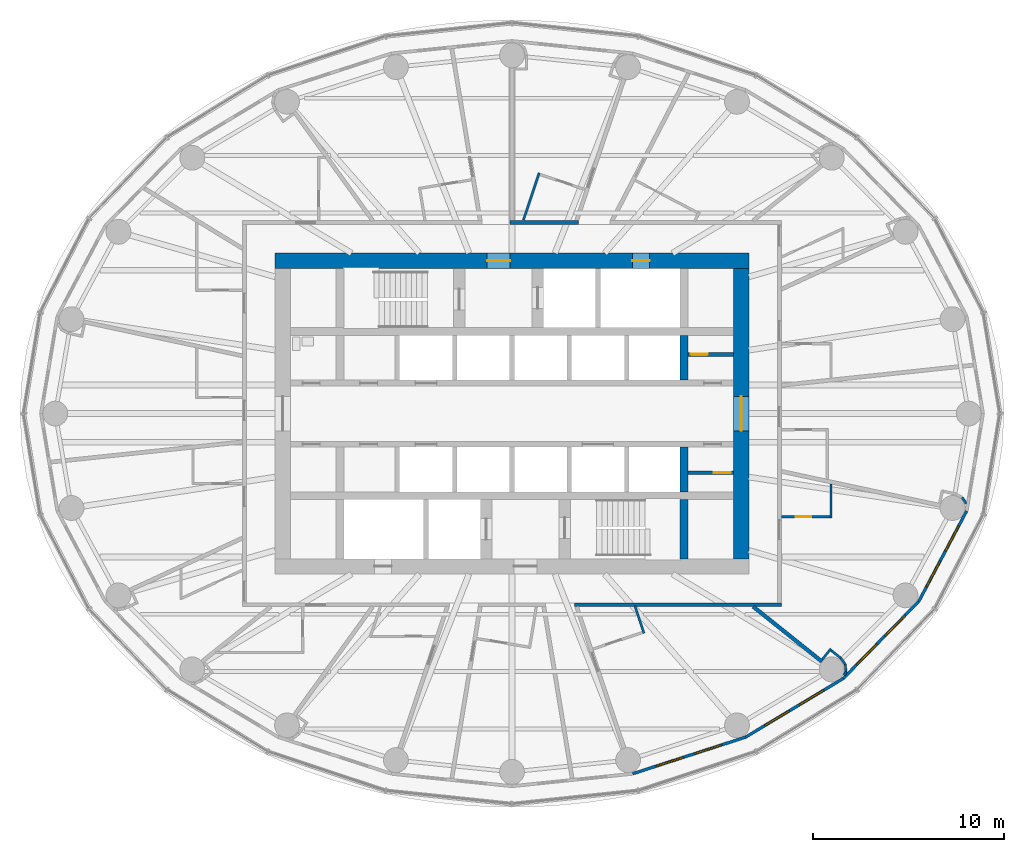
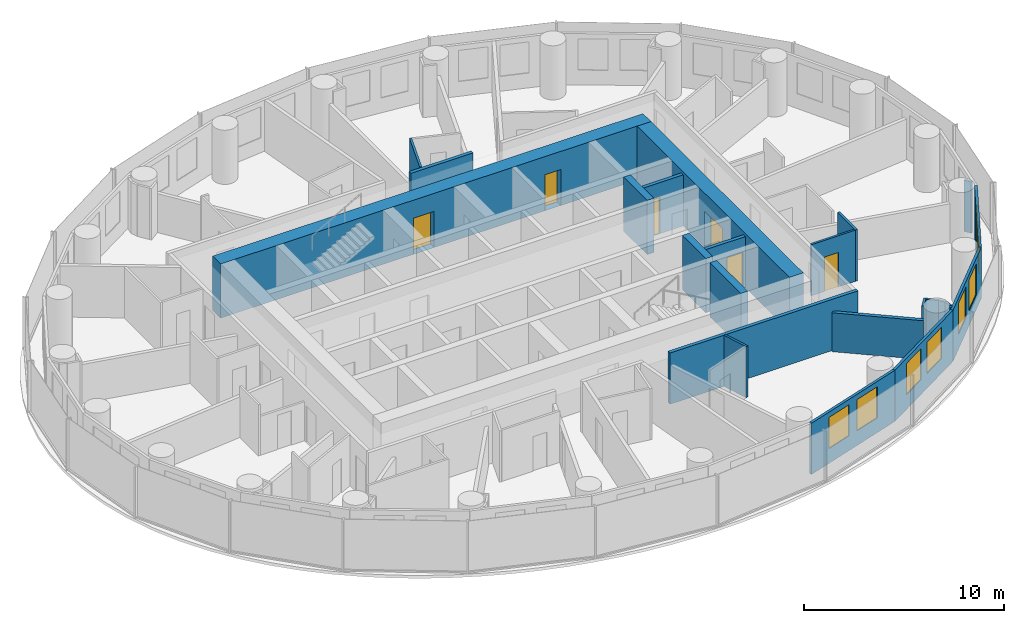
# One storey, part 9 of 14: 24 walls, 8 windows, 6 doors, 14 openings.
"""IFC4 building model written with IfcOpenShell, lengths in metres."""

from ifc_helpers import new_model, si_unit, direction, frame, frame_2d, origin, place, context, subcontext, project, spatial, rectangle, extrude, material, layer, layer_set, type_object, element, fill, save


model = new_model("IFC4")

# Units and contexts
model_context = context("Model", 3, precision=1e-05, world=origin(), true_north=direction((0.0, 1.0)))
body_context = subcontext(model_context, "Body", "Model", "MODEL_VIEW")
ifc_project = project(units=[si_unit("LENGTHUNIT", "METRE"), si_unit("AREAUNIT", "SQUARE_METRE"), si_unit("VOLUMEUNIT", "CUBIC_METRE"), si_unit("PLANEANGLEUNIT", "RADIAN"), si_unit("MASSUNIT", "GRAM", prefix="KILO")], contexts=[model_context])

# Site, building, storey
site_placement = place(None, origin())
site = spatial("IfcSite", under=ifc_project, at=site_placement, CompositionType="ELEMENT")
building_placement = place(site_placement, origin())
building = spatial("IfcBuilding", under=site, at=building_placement, Name="Hankou Lantern Tower", CompositionType="ELEMENT")
storey_placement = place(building_placement, frame((0.0, 0.0, 115.5)))
storey = spatial("IfcBuildingStorey", under=building, at=storey_placement, Name="L29", CompositionType="ELEMENT", Elevation=115.5)

# Wall, openings, doors
ifc_material_1 = material(Name="Concrete C60", Category="concrete")
ifc_layer_1 = layer(ifc_material_1, 0.800048828125)
ifc_layer_set_1 = layer_set([ifc_layer_1], Name="Concrete C60")
wall_type_1 = type_object("IfcWallType", Name="CW2 CORE WALL 800", PredefinedType="SHEAR", material=ifc_layer_set_1)
wall_1_placement = place(storey_placement, frame((-12.39990234375, 8.0, 0.0), z_axis=(0.0, 0.0, 1.0), x_axis=(1.0, 0.0, 0.0)))
wall_1 = element("IfcWall", 1, at=wall_1_placement, inside=storey, type_object=wall_type_1, Name="Core wall north L29", PredefinedType="SHEAR", context=body_context, shape_type="SweptSolid", body=[
    extrude(rectangle(XDim=24.7998046875, YDim=0.800048828125, at=frame_2d((12.39990234375, 0.0))), origin(), (0.0, 0.0, 1.0), 3.300048828125),
])
opening_1_placement = place(wall_1_placement, frame((11.10009765625, 0.0, 0.0)))
opening_1 = element("IfcOpeningElement", 2, at=opening_1_placement, cuts=wall_1, Name="Opening D5", PredefinedType="OPENING", context=body_context, shape_type="SweptSolid", body=[
    extrude(rectangle(XDim=1.199951171875, YDim=2.199951171875, at=frame_2d((0.60009765625, 1.10009765625))), frame((0.0, 0.409912109375, 0.0), z_axis=(0.0, -1.0, 0.0), x_axis=(1.0, 0.0, 0.0)), (0.0, 0.0, 1.0), 0.820068359375),
])
opening_2_placement = place(wall_1_placement, frame((18.699951171875, 0.0, 0.0)))
opening_2 = element("IfcOpeningElement", 3, at=opening_2_placement, cuts=wall_1, Name="Opening D7", PredefinedType="OPENING", context=body_context, shape_type="SweptSolid", body=[
    extrude(rectangle(XDim=0.89990234375, YDim=2.199951171875, at=frame_2d((0.449951171875, 1.10009765625))), frame((0.0, 0.409912109375, 0.0), z_axis=(0.0, -1.0, 0.0), x_axis=(1.0, 0.0, 0.0)), (0.0, 0.0, 1.0), 0.820068359375),
])
ifc_material_2 = material(Name="Steel door leaf", Category="steel")
door_type_1 = type_object("IfcDoorType", Name="D5 STAIR LOBBY DOOR 1200X2200", OperationType="SINGLE_SWING_LEFT", PredefinedType="DOOR", material=ifc_material_2)
door_1_placement = place(opening_1_placement, origin())
door_1 = element("IfcDoor", 4, at=door_1_placement, inside=storey, type_object=door_type_1, Name="Stair A lobby door", OperationType="SINGLE_SWING_LEFT", OverallHeight=2.199951171875, OverallWidth=1.199951171875, PredefinedType="DOOR", context=body_context, shape_type="SweptSolid", body=[
    extrude(rectangle(XDim=1.199951171875, YDim=2.199951171875, at=frame_2d((0.60009765625, 1.10009765625))), frame((0.0, 0.02490234375, 0.0), z_axis=(0.0, -1.0, 0.0), x_axis=(1.0, 0.0, 0.0)), (0.0, 0.0, 1.0), 0.050048828125),
])
fill(opening_1, door_1)
ifc_material_3 = material(Name="Steel door leaf", Category="steel")
door_type_2 = type_object("IfcDoorType", Name="D7 RISER DOOR 900X2200", OperationType="SINGLE_SWING_LEFT", PredefinedType="DOOR", material=ifc_material_3)
door_2_placement = place(opening_2_placement, origin())
door_2 = element("IfcDoor", 5, at=door_2_placement, inside=storey, type_object=door_type_2, Name="Riser N1 door", OperationType="SINGLE_SWING_RIGHT", OverallHeight=2.199951171875, OverallWidth=0.89990234375, PredefinedType="DOOR", context=body_context, shape_type="SweptSolid", body=[
    extrude(rectangle(XDim=0.89990234375, YDim=2.199951171875, at=frame_2d((0.449951171875, 1.10009765625))), frame((0.0, 0.02490234375, 0.0), z_axis=(0.0, -1.0, 0.0), x_axis=(1.0, 0.0, 0.0)), (0.0, 0.0, 1.0), 0.050048828125),
])
fill(opening_2, door_2)

# Wall, opening, door
wall_2_placement = place(storey_placement, frame((12.0, -7.60009765625, 0.0), z_axis=(0.0, 0.0, 1.0), x_axis=(0.0, 1.0, 0.0)))
wall_2 = element("IfcWall", 6, at=wall_2_placement, inside=storey, type_object=wall_type_1, Name="Core wall east L29", PredefinedType="SHEAR", context=body_context, shape_type="SweptSolid", body=[
    extrude(rectangle(XDim=15.2001953125, YDim=0.800048828125, at=frame_2d((7.60009765625, 0.0))), origin(), (0.0, 0.0, 1.0), 3.300048828125),
])
opening_3_placement = place(wall_2_placement, frame((6.699951171875, 0.0, 0.0)))
opening_3 = element("IfcOpeningElement", 7, at=opening_3_placement, cuts=wall_2, Name="Opening D6", PredefinedType="OPENING", context=body_context, shape_type="SweptSolid", body=[
    extrude(rectangle(XDim=1.800048828125, YDim=2.199951171875, at=frame_2d((0.89990234375, 1.10009765625))), frame((0.0, 0.409912109375, 0.0), z_axis=(0.0, -1.0, 0.0), x_axis=(1.0, 0.0, 0.0)), (0.0, 0.0, 1.0), 0.820068359375),
])
ifc_material_4 = material(Name="Steel door leaf", Category="steel")
door_type_3 = type_object("IfcDoorType", Name="D6 LIFT LOBBY DOOR 1800X2200", OperationType="DOUBLE_DOOR_DOUBLE_SWING", PredefinedType="DOOR", material=ifc_material_4)
door_3_placement = place(opening_3_placement, origin())
door_3 = element("IfcDoor", 8, at=door_3_placement, inside=storey, type_object=door_type_3, Name="Lift lobby east door", OperationType="DOUBLE_DOOR_DOUBLE_SWING", OverallHeight=2.199951171875, OverallWidth=1.800048828125, PredefinedType="DOOR", context=body_context, shape_type="SweptSolid", body=[
    extrude(rectangle(XDim=1.800048828125, YDim=2.199951171875, at=frame_2d((0.89990234375, 1.10009765625))), frame((0.0, 0.02490234375, 0.0), z_axis=(0.0, -1.0, 0.0), x_axis=(1.0, 0.0, 0.0)), (0.0, 0.0, 1.0), 0.050048828125),
])
fill(opening_3, door_3)

# Walls
ifc_material_5 = material(Name="Concrete C60", Category="concrete")
ifc_layer_2 = layer(ifc_material_5, 0.39990234375)
ifc_layer_set_2 = layer_set([ifc_layer_2], Name="Concrete C60")
wall_type_2 = type_object("IfcWallType", Name="CW4 CORE CROSS WALL 400", PredefinedType="SHEAR", material=ifc_layer_set_2)
for number, where, z_axis, x_axis, name in (
    (9, (9.0, 1.75, 0.0), (0.0, 0.0, 1.0), (0.0, 1.0, 0.0), "Core strip wall L29"),
    (10, (9.0, -4.10009765625, 0.0), (0.0, 0.0, 1.0), (0.0, 1.0, 0.0), "Core strip wall L29"),
):
    element("IfcWall", number, at=place(storey_placement, frame(where, z_axis=z_axis, x_axis=x_axis)), inside=storey, type_object=wall_type_2, Name=name, PredefinedType="SHEAR", context=body_context, shape_type="SweptSolid", body=[
        extrude(rectangle(XDim=2.35009765625, YDim=0.39990234375, at=frame_2d((1.175048828125, 0.0))), origin(), (0.0, 0.0, 1.0), 3.300048828125),
    ])
wall_3_placement = place(storey_placement, frame((9.0, -7.60009765625, 0.0), z_axis=(0.0, 0.0, 1.0), x_axis=(0.0, 1.0, 0.0)))
element("IfcWall", 11, at=wall_3_placement, inside=storey, type_object=wall_type_2, Name="Core strip wall L29", PredefinedType="SHEAR", context=body_context, shape_type="SweptSolid", body=[
    extrude(rectangle(XDim=3.10009765625, YDim=0.39990234375, at=frame_2d((1.550048828125, 0.0))), origin(), (0.0, 0.0, 1.0), 3.300048828125),
])

# Wall, openings, windows
ifc_material_6 = material(Name="Aluminium spandrel panel on steel studs", Category="steel")
ifc_layer_3 = layer(ifc_material_6, 0.14990234375)
ifc_layer_set_3 = layer_set([ifc_layer_3], Name="Aluminium spandrel panel on steel studs")
wall_type_3 = type_object("IfcWallType", Name="EW1 INNER SKIN WALL 150", PredefinedType="ELEMENTEDWALL", material=ifc_layer_set_3)
wall_4_placement = place(storey_placement, frame((6.3134765625, -18.849609375, 0.0), z_axis=(0.0, 0.0, 1.0), x_axis=(0.951272691506, 0.308350881944, 0.0)))
wall_4 = element("IfcWall", 12, at=wall_4_placement, inside=storey, type_object=wall_type_3, Name="Inner skin R20-R21 L29", PredefinedType="ELEMENTEDWALL", context=body_context, shape_type="SweptSolid", body=[
    extrude(rectangle(XDim=6.210693359375, YDim=0.14990234375, at=frame_2d((3.10546875, 0.0))), origin(), (0.0, 0.0, 1.0), 3.1201171875),
])
opening_4_placement = place(wall_4_placement, frame((1.305419921875, 0.0, 0.89990234375)))
opening_4 = element("IfcOpeningElement", 13, at=opening_4_placement, cuts=wall_4, Name="Opening W2", PredefinedType="OPENING", context=body_context, shape_type="SweptSolid", body=[
    extrude(rectangle(XDim=1.5, YDim=1.89990234375, at=frame_2d((0.75, 0.949951171875))), frame((0.0, 0.0849609375, 0.0), z_axis=(0.0, -1.0, 0.0), x_axis=(1.0, 0.0, 0.0)), (0.0, 0.0, 1.0), 0.169921875),
])
opening_5_placement = place(wall_4_placement, frame((3.4052734375, 0.0, 0.89990234375)))
opening_5 = element("IfcOpeningElement", 14, at=opening_5_placement, cuts=wall_4, Name="Opening W2", PredefinedType="OPENING", context=body_context, shape_type="SweptSolid", body=[
    extrude(rectangle(XDim=1.5, YDim=1.89990234375, at=frame_2d((0.75, 0.949951171875))), frame((0.0, 0.0849609375, 0.0), z_axis=(0.0, -1.0, 0.0), x_axis=(1.0, 0.0, 0.0)), (0.0, 0.0, 1.0), 0.169921875),
])
ifc_material_7 = material(Name="Aluminium framed double glazed window", Category="aluminium")
window_type = type_object("IfcWindowType", Name="W2 GUEST ROOM WINDOW 1500X1900", PartitioningType="DOUBLE_PANEL_VERTICAL", PredefinedType="WINDOW", material=ifc_material_7)
window_1_placement = place(opening_4_placement, origin())
window_1 = element("IfcWindow", 15, at=window_1_placement, inside=storey, type_object=window_type, Name="Window R20.1 L29", OverallHeight=1.89990234375, OverallWidth=1.5, PartitioningType="SINGLE_PANEL", PredefinedType="WINDOW", context=body_context, shape_type="SweptSolid", body=[
    extrude(rectangle(XDim=1.5, YDim=1.89990234375, at=frame_2d((0.75, 0.949951171875))), frame((0.0, 0.030029296875, 0.0), z_axis=(0.0, -1.0, 0.0), x_axis=(1.0, 0.0, 0.0)), (0.0, 0.0, 1.0), 0.06005859375),
])
fill(opening_4, window_1)
window_2_placement = place(opening_5_placement, origin())
window_2 = element("IfcWindow", 16, at=window_2_placement, inside=storey, type_object=window_type, Name="Window R20.2 L29", OverallHeight=1.89990234375, OverallWidth=1.5, PartitioningType="SINGLE_PANEL", PredefinedType="WINDOW", context=body_context, shape_type="SweptSolid", body=[
    extrude(rectangle(XDim=1.5, YDim=1.89990234375, at=frame_2d((0.75, 0.949951171875))), frame((0.0, 0.030029296875, 0.0), z_axis=(0.0, -1.0, 0.0), x_axis=(1.0, 0.0, 0.0)), (0.0, 0.0, 1.0), 0.06005859375),
])
fill(opening_5, window_2)

wall_5_placement = place(storey_placement, frame((12.221435546875, -16.9345703125, 0.0), z_axis=(0.0, 0.0, 1.0), x_axis=(0.857308573723, 0.514802884044, 0.0)))
wall_5 = element("IfcWall", 17, at=wall_5_placement, inside=storey, type_object=wall_type_3, Name="Inner skin R21-R22 L29", PredefinedType="ELEMENTEDWALL", context=body_context, shape_type="SweptSolid", body=[
    extrude(rectangle(XDim=5.961181640625, YDim=0.14990234375, at=frame_2d((2.98046875, 0.0))), origin(), (0.0, 0.0, 1.0), 3.1201171875),
])
opening_6_placement = place(wall_5_placement, frame((1.1806640625, 0.0, 0.89990234375)))
opening_6 = element("IfcOpeningElement", 18, at=opening_6_placement, cuts=wall_5, Name="Opening W2", PredefinedType="OPENING", context=body_context, shape_type="SweptSolid", body=[
    extrude(rectangle(XDim=1.5, YDim=1.89990234375, at=frame_2d((0.75, 0.949951171875))), frame((0.0, 0.0849609375, 0.0), z_axis=(0.0, -1.0, 0.0), x_axis=(1.0, 0.0, 0.0)), (0.0, 0.0, 1.0), 0.169921875),
])
opening_7_placement = place(wall_5_placement, frame((3.280517578125, 0.0, 0.89990234375)))
opening_7 = element("IfcOpeningElement", 19, at=opening_7_placement, cuts=wall_5, Name="Opening W2", PredefinedType="OPENING", context=body_context, shape_type="SweptSolid", body=[
    extrude(rectangle(XDim=1.5, YDim=1.89990234375, at=frame_2d((0.75, 0.949951171875))), frame((0.0, 0.0849609375, 0.0), z_axis=(0.0, -1.0, 0.0), x_axis=(1.0, 0.0, 0.0)), (0.0, 0.0, 1.0), 0.169921875),
])
window_3_placement = place(opening_6_placement, origin())
window_3 = element("IfcWindow", 20, at=window_3_placement, inside=storey, type_object=window_type, Name="Window R21.1 L29", OverallHeight=1.89990234375, OverallWidth=1.5, PartitioningType="SINGLE_PANEL", PredefinedType="WINDOW", context=body_context, shape_type="SweptSolid", body=[
    extrude(rectangle(XDim=1.5, YDim=1.89990234375, at=frame_2d((0.75, 0.949951171875))), frame((0.0, 0.030029296875, 0.0), z_axis=(0.0, -1.0, 0.0), x_axis=(1.0, 0.0, 0.0)), (0.0, 0.0, 1.0), 0.06005859375),
])
fill(opening_6, window_3)
window_4_placement = place(opening_7_placement, origin())
window_4 = element("IfcWindow", 21, at=window_4_placement, inside=storey, type_object=window_type, Name="Window R21.2 L29", OverallHeight=1.89990234375, OverallWidth=1.5, PartitioningType="SINGLE_PANEL", PredefinedType="WINDOW", context=body_context, shape_type="SweptSolid", body=[
    extrude(rectangle(XDim=1.5, YDim=1.89990234375, at=frame_2d((0.75, 0.949951171875))), frame((0.0, 0.030029296875, 0.0), z_axis=(0.0, -1.0, 0.0), x_axis=(1.0, 0.0, 0.0)), (0.0, 0.0, 1.0), 0.06005859375),
])
fill(opening_7, window_4)

wall_6_placement = place(storey_placement, frame((17.33203125, -13.86572265625, 0.0), z_axis=(0.0, 0.0, 1.0), x_axis=(0.700136650834, 0.714008872605, 0.0)))
wall_6 = element("IfcWall", 22, at=wall_6_placement, inside=storey, type_object=wall_type_3, Name="Inner skin R22-R23 L29", PredefinedType="ELEMENTEDWALL", context=body_context, shape_type="SweptSolid", body=[
    extrude(rectangle(XDim=5.6494140625, YDim=0.14990234375, at=frame_2d((2.82470703125, 0.0))), origin(), (0.0, 0.0, 1.0), 3.1201171875),
])
opening_8_placement = place(wall_6_placement, frame((1.024658203125, 0.0, 0.89990234375)))
opening_8 = element("IfcOpeningElement", 23, at=opening_8_placement, cuts=wall_6, Name="Opening W2", PredefinedType="OPENING", context=body_context, shape_type="SweptSolid", body=[
    extrude(rectangle(XDim=1.5, YDim=1.89990234375, at=frame_2d((0.75, 0.949951171875))), frame((0.0, 0.0849609375, 0.0), z_axis=(0.0, -1.0, 0.0), x_axis=(1.0, 0.0, 0.0)), (0.0, 0.0, 1.0), 0.169921875),
])
opening_9_placement = place(wall_6_placement, frame((3.12451171875, 0.0, 0.89990234375)))
opening_9 = element("IfcOpeningElement", 24, at=opening_9_placement, cuts=wall_6, Name="Opening W2", PredefinedType="OPENING", context=body_context, shape_type="SweptSolid", body=[
    extrude(rectangle(XDim=1.5, YDim=1.89990234375, at=frame_2d((0.75, 0.949951171875))), frame((0.0, 0.0849609375, 0.0), z_axis=(0.0, -1.0, 0.0), x_axis=(1.0, 0.0, 0.0)), (0.0, 0.0, 1.0), 0.169921875),
])
window_5_placement = place(opening_8_placement, origin())
window_5 = element("IfcWindow", 25, at=window_5_placement, inside=storey, type_object=window_type, Name="Window R22.1 L29", OverallHeight=1.89990234375, OverallWidth=1.5, PartitioningType="SINGLE_PANEL", PredefinedType="WINDOW", context=body_context, shape_type="SweptSolid", body=[
    extrude(rectangle(XDim=1.5, YDim=1.89990234375, at=frame_2d((0.75, 0.949951171875))), frame((0.0, 0.030029296875, 0.0), z_axis=(0.0, -1.0, 0.0), x_axis=(1.0, 0.0, 0.0)), (0.0, 0.0, 1.0), 0.06005859375),
])
fill(opening_8, window_5)
window_6_placement = place(opening_9_placement, origin())
window_6 = element("IfcWindow", 26, at=window_6_placement, inside=storey, type_object=window_type, Name="Window R22.2 L29", OverallHeight=1.89990234375, OverallWidth=1.5, PartitioningType="SINGLE_PANEL", PredefinedType="WINDOW", context=body_context, shape_type="SweptSolid", body=[
    extrude(rectangle(XDim=1.5, YDim=1.89990234375, at=frame_2d((0.75, 0.949951171875))), frame((0.0, 0.030029296875, 0.0), z_axis=(0.0, -1.0, 0.0), x_axis=(1.0, 0.0, 0.0)), (0.0, 0.0, 1.0), 0.06005859375),
])
fill(opening_9, window_6)

wall_7_placement = place(storey_placement, frame((21.287353515625, -9.83203125, 0.0), z_axis=(0.0, 0.0, 1.0), x_axis=(0.467814388454, 0.883826735257, 0.0)))
wall_7 = element("IfcWall", 27, at=wall_7_placement, inside=storey, type_object=wall_type_3, Name="Inner skin R23-R24 L29", PredefinedType="ELEMENTEDWALL", context=body_context, shape_type="SweptSolid", body=[
    extrude(rectangle(XDim=5.35400390625, YDim=0.14990234375, at=frame_2d((2.677001953125, 0.0))), origin(), (0.0, 0.0, 1.0), 3.1201171875),
])
opening_10_placement = place(wall_7_placement, frame((0.876953125, 0.0, 0.89990234375)))
opening_10 = element("IfcOpeningElement", 28, at=opening_10_placement, cuts=wall_7, Name="Opening W2", PredefinedType="OPENING", context=body_context, shape_type="SweptSolid", body=[
    extrude(rectangle(XDim=1.5, YDim=1.89990234375, at=frame_2d((0.75, 0.949951171875))), frame((0.0, 0.0849609375, 0.0), z_axis=(0.0, -1.0, 0.0), x_axis=(1.0, 0.0, 0.0)), (0.0, 0.0, 1.0), 0.169921875),
])
opening_11_placement = place(wall_7_placement, frame((2.97705078125, 0.0, 0.89990234375)))
opening_11 = element("IfcOpeningElement", 29, at=opening_11_placement, cuts=wall_7, Name="Opening W2", PredefinedType="OPENING", context=body_context, shape_type="SweptSolid", body=[
    extrude(rectangle(XDim=1.5, YDim=1.89990234375, at=frame_2d((0.75, 0.949951171875))), frame((0.0, 0.0849609375, 0.0), z_axis=(0.0, -1.0, 0.0), x_axis=(1.0, 0.0, 0.0)), (0.0, 0.0, 1.0), 0.169921875),
])
window_7_placement = place(opening_10_placement, origin())
window_7 = element("IfcWindow", 30, at=window_7_placement, inside=storey, type_object=window_type, Name="Window R23.1 L29", OverallHeight=1.89990234375, OverallWidth=1.5, PartitioningType="SINGLE_PANEL", PredefinedType="WINDOW", context=body_context, shape_type="SweptSolid", body=[
    extrude(rectangle(XDim=1.5, YDim=1.89990234375, at=frame_2d((0.75, 0.949951171875))), frame((0.0, 0.030029296875, 0.0), z_axis=(0.0, -1.0, 0.0), x_axis=(1.0, 0.0, 0.0)), (0.0, 0.0, 1.0), 0.06005859375),
])
fill(opening_10, window_7)
window_8_placement = place(opening_11_placement, origin())
window_8 = element("IfcWindow", 31, at=window_8_placement, inside=storey, type_object=window_type, Name="Window R23.2 L29", OverallHeight=1.89990234375, OverallWidth=1.5, PartitioningType="SINGLE_PANEL", PredefinedType="WINDOW", context=body_context, shape_type="SweptSolid", body=[
    extrude(rectangle(XDim=1.5, YDim=1.89990234375, at=frame_2d((0.75, 0.949951171875))), frame((0.0, 0.030029296875, 0.0), z_axis=(0.0, -1.0, 0.0), x_axis=(1.0, 0.0, 0.0)), (0.0, 0.0, 1.0), 0.06005859375),
])
fill(opening_11, window_8)

# Walls
ifc_material_8 = material(Name="Masonry lightweight concrete block", Category="masonry")
ifc_layer_4 = layer(ifc_material_8, 0.199951171875)
ifc_layer_set_4 = layer_set([ifc_layer_4], Name="Masonry lightweight concrete block")
wall_type_4 = type_object("IfcWallType", Name="IW1 GUEST ROOM PARTY WALL 200", PredefinedType="PARTITIONING", material=ifc_layer_set_4)
wall_8_placement = place(storey_placement, frame((12.625, -10.10009765625, 0.0), z_axis=(0.0, 0.0, 1.0), x_axis=(0.780863644897, -0.624701503182, 0.0)))
element("IfcWall", 32, at=wall_8_placement, inside=storey, type_object=wall_type_4, Name="Party wall R22", PredefinedType="PARTITIONING", context=body_context, shape_type="SweptSolid", body=[
    extrude(rectangle(XDim=4.612060546875, YDim=0.199951171875, at=frame_2d((2.30615234375, 0.0))), origin(), (0.0, 0.0, 1.0), 2.3701171875),
])
ifc_material_9 = material(Name="Masonry lightweight concrete block", Category="masonry")
ifc_layer_5 = layer(ifc_material_9, 0.199951171875)
ifc_layer_set_5 = layer_set([ifc_layer_5], Name="Masonry lightweight concrete block")
wall_type_5 = type_object("IfcWallType", Name="IW2 CORRIDOR WALL 200", PredefinedType="PARTITIONING", material=ifc_layer_set_5)
wall_9_placement = place(storey_placement, frame((14.10009765625, -10.0, 0.0), z_axis=(0.0, 0.0, 1.0), x_axis=(-1.0, 0.0, 0.0)))
element("IfcWall", 33, at=wall_9_placement, inside=storey, type_object=wall_type_5, Name="Corridor wall south", PredefinedType="PARTITIONING", context=body_context, shape_type="SweptSolid", body=[
    extrude(rectangle(XDim=10.817138671875, YDim=0.199951171875, at=frame_2d((5.40869140625, 0.0))), origin(), (0.0, 0.0, 1.0), 3.1201171875),
])
wall_10_placement = place(storey_placement, frame((-0.10009765625, 10.0, 0.0), z_axis=(0.0, 0.0, 1.0), x_axis=(1.0, 0.0, 0.0)))
element("IfcWall", 34, at=wall_10_placement, inside=storey, type_object=wall_type_5, Name="Corridor wall north", PredefinedType="PARTITIONING", context=body_context, shape_type="SweptSolid", body=[
    extrude(rectangle(XDim=3.5830078125, YDim=0.199951171875, at=frame_2d((1.79150390625, 0.0))), origin(), (0.0, 0.0, 1.0), 3.1201171875),
])
ifc_material_10 = material(Name="Masonry lightweight concrete block", Category="masonry")
ifc_layer_6 = layer(ifc_material_10, 0.1201171875)
ifc_layer_set_6 = layer_set([ifc_layer_6], Name="Masonry lightweight concrete block")
wall_type_6 = type_object("IfcWallType", Name="IW3 BATHROOM WALL 120", PredefinedType="PARTITIONING", material=ifc_layer_set_6)
wall_11_placement = place(storey_placement, frame((0.598876953125, 10.1318359375, 0.0), z_axis=(0.0, 0.0, 1.0), x_axis=(0.317554522053, 0.948240014724, 0.0)))
element("IfcWall", 35, at=wall_11_placement, inside=storey, type_object=wall_type_6, Name="Box wall 2902 1", PredefinedType="PARTITIONING", context=body_context, shape_type="SweptSolid", body=[
    extrude(rectangle(XDim=2.593994140625, YDim=0.1201171875, at=frame_2d((1.296875, 0.0))), origin(), (0.0, 0.0, 1.0), 3.1201171875),
])
wall_12_placement = place(storey_placement, frame((6.4306640625, -10.068359375, 0.0), z_axis=(0.0, 0.0, 1.0), x_axis=(0.317592729703, -0.948227218571, 0.0)))
element("IfcWall", 36, at=wall_12_placement, inside=storey, type_object=wall_type_6, Name="Box wall 2915 1", PredefinedType="PARTITIONING", context=body_context, shape_type="SweptSolid", body=[
    extrude(rectangle(XDim=1.502197265625, YDim=0.1201171875, at=frame_2d((0.7509765625, 0.0))), origin(), (0.0, 0.0, 1.0), 3.1201171875),
])
wall_13_placement = place(storey_placement, frame((16.699951171875, -3.6796875, 0.0), z_axis=(0.0, 0.0, 1.0), x_axis=(0.0, -1.0, 0.0)))
element("IfcWall", 37, at=wall_13_placement, inside=storey, type_object=wall_type_6, Name="Box wall 2916 1", PredefinedType="PARTITIONING", context=body_context, shape_type="SweptSolid", body=[
    extrude(rectangle(XDim=1.78271484375, YDim=0.1201171875, at=frame_2d((0.891357421875, 0.0))), origin(), (0.0, 0.0, 1.0), 3.1201171875),
])

# Wall, opening, door
wall_14_placement = place(storey_placement, frame((14.10009765625, -5.402587890625, 0.0), z_axis=(0.0, 0.0, 1.0), x_axis=(1.0, 0.0, 0.0)))
wall_14 = element("IfcWall", 38, at=wall_14_placement, inside=storey, type_object=wall_type_6, Name="Box wall 2916 1", PredefinedType="PARTITIONING", context=body_context, shape_type="SweptSolid", body=[
    extrude(rectangle(XDim=2.539794921875, YDim=0.1201171875, at=frame_2d((1.27001953125, 0.0))), origin(), (0.0, 0.0, 1.0), 3.1201171875),
])
opening_12_placement = place(wall_14_placement, frame((0.75, 0.0, 0.0)))
opening_12 = element("IfcOpeningElement", 39, at=opening_12_placement, cuts=wall_14, Name="Opening D3", PredefinedType="OPENING", context=body_context, shape_type="SweptSolid", body=[
    extrude(rectangle(XDim=0.800048828125, YDim=2.10009765625, at=frame_2d((0.39990234375, 1.050048828125))), frame((0.0, 0.070068359375, 0.0), z_axis=(0.0, -1.0, 0.0), x_axis=(1.0, 0.0, 0.0)), (0.0, 0.0, 1.0), 0.14013671875),
])
ifc_material_11 = material(Name="Timber door leaf", Category="wood")
door_type_4 = type_object("IfcDoorType", Name="D3 BATHROOM DOOR 800X2100", OperationType="SINGLE_SWING_LEFT", PredefinedType="DOOR", material=ifc_material_11)
door_4_placement = place(opening_12_placement, origin())
door_4 = element("IfcDoor", 40, at=door_4_placement, inside=storey, type_object=door_type_4, Name="Junior suite 2916 bathroom door", OperationType="SINGLE_SWING_LEFT", OverallHeight=2.10009765625, OverallWidth=0.800048828125, PredefinedType="DOOR", context=body_context, shape_type="SweptSolid", body=[
    extrude(rectangle(XDim=0.800048828125, YDim=2.10009765625, at=frame_2d((0.39990234375, 1.050048828125))), frame((0.0, 0.02490234375, 0.0), z_axis=(0.0, -1.0, 0.0), x_axis=(1.0, 0.0, 0.0)), (0.0, 0.0, 1.0), 0.050048828125),
])
fill(opening_12, door_4)

# Walls
ifc_material_12 = material(Name="Masonry lightweight concrete block", Category="masonry")
ifc_layer_7 = layer(ifc_material_12, 0.1201171875)
ifc_layer_set_7 = layer_set([ifc_layer_7], Name="Masonry lightweight concrete block")
wall_type_7 = type_object("IfcWallType", Name="IW4 PARTITION 120", PredefinedType="PARTITIONING", material=ifc_layer_set_7)
wall_15_placement = place(storey_placement, frame((16.241943359375, -12.865478515625, 0.0), z_axis=(0.0, 0.0, 1.0), x_axis=(0.624861414622, 0.780735686719, 0.0)))
element("IfcWall", 41, at=wall_15_placement, inside=storey, type_object=wall_type_7, Name="Column casing R22 return", PredefinedType="PARTITIONING", context=body_context, shape_type="SweptSolid", body=[
    extrude(rectangle(XDim=0.7158203125, YDim=0.1201171875, at=frame_2d((0.35791015625, 0.0))), origin(), (0.0, 0.0, 1.0), 3.1201171875),
])
wall_16_placement = place(storey_placement, frame((16.698486328125, -12.390869140625, 0.0), z_axis=(0.0, 0.0, 1.0), x_axis=(0.780722240533, -0.624878214645, 0.0)))
element("IfcWall", 42, at=wall_16_placement, inside=storey, type_object=wall_type_7, Name="Column casing R22", PredefinedType="PARTITIONING", context=body_context, shape_type="SweptSolid", body=[
    extrude(rectangle(XDim=0.650146484375, YDim=0.1201171875, at=frame_2d((0.3251953125, 0.0))), origin(), (0.0, 0.0, 1.0), 3.1201171875),
])
wall_17_placement = place(storey_placement, frame((17.2060546875, -12.797119140625, 0.0), z_axis=(0.0, 0.0, 1.0), x_axis=(0.592986095904, -0.805212698648, 0.0)))
element("IfcWall", 43, at=wall_17_placement, inside=storey, type_object=wall_type_7, Name="Column casing R22", PredefinedType="PARTITIONING", context=body_context, shape_type="SweptSolid", body=[
    extrude(rectangle(XDim=0.39111328125, YDim=0.1201171875, at=frame_2d((0.195556640625, 0.0))), origin(), (0.0, 0.0, 1.0), 3.1201171875),
])
wall_18_placement = place(storey_placement, frame((17.43798828125, -13.112060546875, 0.0), z_axis=(0.0, 0.0, 1.0), x_axis=(0.109815164188, -0.993952025862, 0.0)))
element("IfcWall", 44, at=wall_18_placement, inside=storey, type_object=wall_type_7, Name="Column casing R22", PredefinedType="PARTITIONING", context=body_context, shape_type="SweptSolid", body=[
    extrude(rectangle(XDim=0.391357421875, YDim=0.1201171875, at=frame_2d((0.19580078125, 0.0))), origin(), (0.0, 0.0, 1.0), 3.1201171875),
])
wall_19_placement = place(storey_placement, frame((17.48095703125, -13.5009765625, 0.0), z_axis=(0.0, 0.0, 1.0), x_axis=(-0.401504188288, -0.915857186895, 0.0)))
element("IfcWall", 45, at=wall_19_placement, inside=storey, type_object=wall_type_7, Name="Column casing R22", PredefinedType="PARTITIONING", context=body_context, shape_type="SweptSolid", body=[
    extrude(rectangle(XDim=0.20556640625, YDim=0.1201171875, at=frame_2d((0.102783203125, 0.0))), origin(), (0.0, 0.0, 1.0), 3.1201171875),
])
wall_20_placement = place(storey_placement, frame((23.5615234375, -4.38134765625, 0.0), z_axis=(0.0, 0.0, 1.0), x_axis=(0.543121848217, -0.839653891784, 0.0)))
element("IfcWall", 46, at=wall_20_placement, inside=storey, type_object=wall_type_7, Name="Column casing R24", PredefinedType="PARTITIONING", context=body_context, shape_type="SweptSolid", body=[
    extrude(rectangle(XDim=0.39111328125, YDim=0.1201171875, at=frame_2d((0.195556640625, 0.0))), origin(), (0.0, 0.0, 1.0), 3.1201171875),
])

# Wall, opening, door
ifc_material_13 = material(Name="Masonry lightweight concrete block", Category="masonry")
ifc_layer_8 = layer(ifc_material_13, 0.199951171875)
ifc_layer_set_8 = layer_set([ifc_layer_8], Name="Masonry lightweight concrete block")
wall_type_8 = type_object("IfcWallType", Name="IW8 PARTITION 200", PredefinedType="PARTITIONING", material=ifc_layer_set_8)
wall_21_placement = place(storey_placement, frame((9.199951171875, 3.10009765625, 0.0), z_axis=(0.0, 0.0, 1.0), x_axis=(1.0, 0.0, 0.0)))
wall_21 = element("IfcWall", 47, at=wall_21_placement, inside=storey, type_object=wall_type_8, Name="Partition it and telecoms room", PredefinedType="PARTITIONING", context=body_context, shape_type="SweptSolid", body=[
    extrude(rectangle(XDim=2.400146484375, YDim=0.199951171875, at=frame_2d((1.2001953125, 0.0))), origin(), (0.0, 0.0, 1.0), 3.1201171875),
])
opening_13_placement = place(wall_21_placement, frame((0.14990234375, 0.0, 0.0)))
opening_13 = element("IfcOpeningElement", 48, at=opening_13_placement, cuts=wall_21, Name="Opening D12", PredefinedType="OPENING", context=body_context, shape_type="SweptSolid", body=[
    extrude(rectangle(XDim=0.89990234375, YDim=2.199951171875, at=frame_2d((0.449951171875, 1.10009765625))), frame((0.0, 0.10986328125, 0.0), z_axis=(0.0, -1.0, 0.0), x_axis=(1.0, 0.0, 0.0)), (0.0, 0.0, 1.0), 0.219970703125),
])
ifc_material_14 = material(Name="Steel door leaf", Category="steel")
door_type_5 = type_object("IfcDoorType", Name="D12 STORE DOOR 900X2200", OperationType="SINGLE_SWING_LEFT", PredefinedType="DOOR", material=ifc_material_14)
door_5_placement = place(opening_13_placement, origin())
door_5 = element("IfcDoor", 49, at=door_5_placement, inside=storey, type_object=door_type_5, Name="Comms cupboard door", OperationType="SINGLE_SWING_LEFT", OverallHeight=2.199951171875, OverallWidth=0.89990234375, PredefinedType="DOOR", context=body_context, shape_type="SweptSolid", body=[
    extrude(rectangle(XDim=0.89990234375, YDim=2.199951171875, at=frame_2d((0.449951171875, 1.10009765625))), frame((0.0, 0.02490234375, 0.0), z_axis=(0.0, -1.0, 0.0), x_axis=(1.0, 0.0, 0.0)), (0.0, 0.0, 1.0), 0.050048828125),
])
fill(opening_13, door_5)

wall_22_placement = place(storey_placement, frame((9.199951171875, -3.10009765625, 0.0), z_axis=(0.0, 0.0, 1.0), x_axis=(1.0, 0.0, 0.0)))
wall_22 = element("IfcWall", 50, at=wall_22_placement, inside=storey, type_object=wall_type_8, Name="Partition minibar store", PredefinedType="PARTITIONING", context=body_context, shape_type="SweptSolid", body=[
    extrude(rectangle(XDim=2.400146484375, YDim=0.199951171875, at=frame_2d((1.2001953125, 0.0))), origin(), (0.0, 0.0, 1.0), 3.1201171875),
])
opening_14_placement = place(wall_22_placement, frame((1.35009765625, 0.0, 0.0)))
opening_14 = element("IfcOpeningElement", 51, at=opening_14_placement, cuts=wall_22, Name="Opening D12", PredefinedType="OPENING", context=body_context, shape_type="SweptSolid", body=[
    extrude(rectangle(XDim=0.89990234375, YDim=2.199951171875, at=frame_2d((0.449951171875, 1.10009765625))), frame((0.0, 0.10986328125, 0.0), z_axis=(0.0, -1.0, 0.0), x_axis=(1.0, 0.0, 0.0)), (0.0, 0.0, 1.0), 0.219970703125),
])
door_6_placement = place(opening_14_placement, origin())
door_6 = element("IfcDoor", 52, at=door_6_placement, inside=storey, type_object=door_type_5, Name="Minibar stock cupboard door", OperationType="SINGLE_SWING_RIGHT", OverallHeight=2.199951171875, OverallWidth=0.89990234375, PredefinedType="DOOR", context=body_context, shape_type="SweptSolid", body=[
    extrude(rectangle(XDim=0.89990234375, YDim=2.199951171875, at=frame_2d((0.449951171875, 1.10009765625))), frame((0.0, 0.02490234375, 0.0), z_axis=(0.0, -1.0, 0.0), x_axis=(1.0, 0.0, 0.0)), (0.0, 0.0, 1.0), 0.050048828125),
])
fill(opening_14, door_6)

save(model, "model.ifc")
